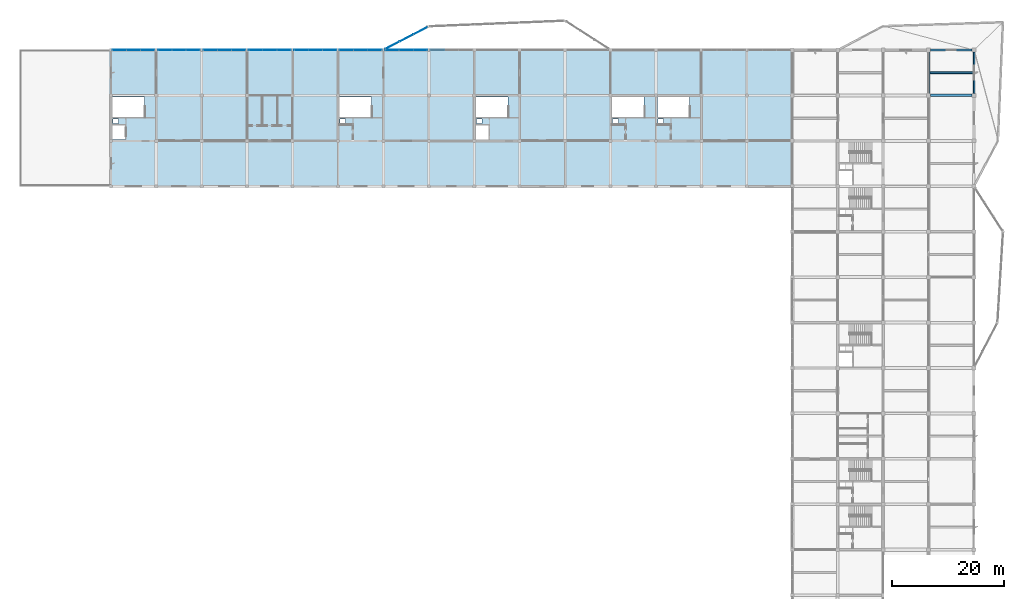
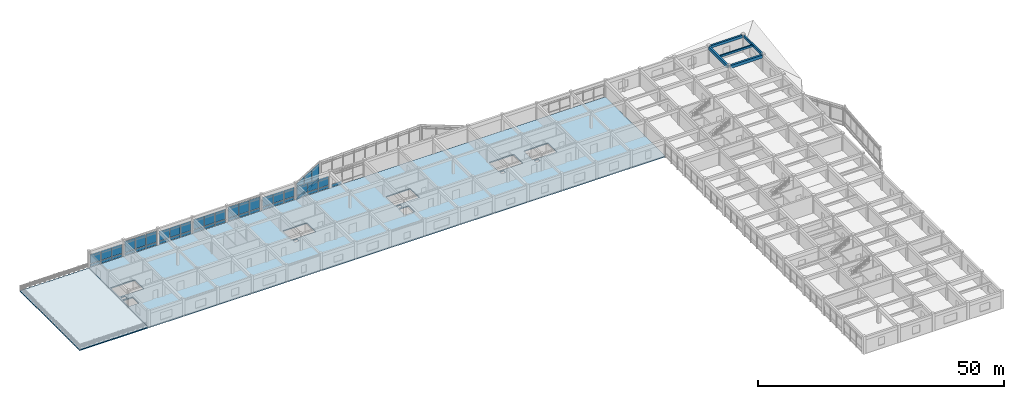
# One storey, part 21 of 40: 49 plates, 5 beams, 2 slabs, 9 elements without a shape of their own.
"""IFC4 building model written with IfcOpenShell, lengths in metres."""

from ifc_helpers import new_model, si_unit, direction, frame, origin, origin_2d, place, context, subcontext, project, spatial, polyline, rectangle, outline, extrude, material, layer, layer_set, material_profile, profile_set, type_object, element, aggregate, save


model = new_model("IFC4")

# Units and contexts
model_context = context("Model", 3, precision=1e-05, world=origin(), true_north=direction((0.0, 1.0)))
body_context = subcontext(model_context, "Body", "Model", "MODEL_VIEW")
ifc_project = project(units=[si_unit("LENGTHUNIT", "METRE"), si_unit("AREAUNIT", "SQUARE_METRE"), si_unit("VOLUMEUNIT", "CUBIC_METRE"), si_unit("PLANEANGLEUNIT", "RADIAN"), si_unit("MASSUNIT", "GRAM", prefix="KILO")], contexts=[model_context])

# Site, building, storey
site_placement = place(None, origin())
site = spatial("IfcSite", under=ifc_project, at=site_placement, CompositionType="ELEMENT")
building_placement = place(site_placement, origin())
building = spatial("IfcBuilding", under=site, at=building_placement, Name="Vaudrelin Polytechnic", CompositionType="ELEMENT")
storey_placement = place(building_placement, frame((0.0, 0.0, 22.949951171875)))
storey = spatial("IfcBuildingStorey", under=building, at=storey_placement, Name="L05", CompositionType="ELEMENT", Elevation=22.949951171875)

# Beams
ifc_material_1 = material(Name="Concrete 40 MPa", Category="concrete")
ifc_material_profile_1 = material_profile(ifc_material_1, rectangle(XDim=0.35009765625, YDim=0.60009765625, at=origin_2d()), Name="RC350x600")
ifc_profile_set_1 = profile_set([ifc_material_profile_1], Name="Concrete 40 MPa")
beam_type_1 = type_object("IfcBeamType", Name="BM-BM-RC3560", PredefinedType="BEAM", material=ifc_profile_set_1)
beam_1_placement = place(storey_placement, frame((170.10009765625, 113.7099609375, 3.860107421875), z_axis=(0.0, 1.0, 0.0), x_axis=(-1.0, 0.0, 0.0)))
element("IfcBeam", 1, at=beam_1_placement, inside=storey, type_object=beam_type_1, Name="L05 Y-beam 22-15", PredefinedType="BEAM", context=body_context, shape_type="SweptSolid", body=[
    extrude(rectangle(XDim=0.35009765625, YDim=0.60009765625, at=origin_2d()), origin(), (0.0, 0.0, 1.0), 7.47998046875),
])
ifc_material_profile_2 = material_profile(ifc_material_1, rectangle(XDim=0.39990234375, YDim=0.64990234375, at=origin_2d()), Name="RC400x650")
ifc_profile_set_2 = profile_set([ifc_material_profile_2], Name="Concrete 40 MPa")
beam_type_2 = type_object("IfcBeamType", Name="BM-BM-RC4065", PredefinedType="BEAM", material=ifc_profile_set_2)
beam_2_placement = place(storey_placement, frame((162.321044921875, 121.5, 3.8349609375), z_axis=(1.0, 0.0, 0.0), x_axis=(0.0, 1.0, 0.0)))
element("IfcBeam", 2, at=beam_2_placement, inside=storey, type_object=beam_type_2, Name="L05 X-beam 21-16", PredefinedType="BEAM", context=body_context, shape_type="SweptSolid", body=[
    extrude(rectangle(XDim=0.39990234375, YDim=0.64990234375, at=origin_2d()), origin(), (0.0, 0.0, 1.0), 7.4580078125),
])
ifc_material_profile_3 = material_profile(ifc_material_1, rectangle(XDim=0.449951171875, YDim=0.75, at=origin_2d()), Name="RC450x750")
ifc_profile_set_3 = profile_set([ifc_material_profile_3], Name="Concrete 40 MPa")
beam_type_3 = type_object("IfcBeamType", Name="BM-BM-RC4575", PredefinedType="BEAM", material=ifc_profile_set_3)
beam_3_placement = place(storey_placement, frame((162.0, 113.7099609375, 3.78515625), z_axis=(0.0, 1.0, 0.0), x_axis=(-1.0, 0.0, 0.0)))
element("IfcBeam", 3, at=beam_3_placement, inside=storey, type_object=beam_type_3, Name="L05 Y-beam 21-15", PredefinedType="BEAM", context=body_context, shape_type="SweptSolid", body=[
    extrude(rectangle(XDim=0.449951171875, YDim=0.75, at=origin_2d()), origin(), (0.0, 0.0, 1.0), 7.47998046875),
])
beam_4_placement = place(storey_placement, frame((162.321044921875, 113.39990234375, 3.78515625), z_axis=(1.0, 0.0, 0.0), x_axis=(0.0, 1.0, 0.0)))
element("IfcBeam", 4, at=beam_4_placement, inside=storey, type_object=beam_type_3, Name="L05 X-beam 21-15", PredefinedType="BEAM", context=body_context, shape_type="SweptSolid", body=[
    extrude(rectangle(XDim=0.449951171875, YDim=0.75, at=origin_2d()), origin(), (0.0, 0.0, 1.0), 7.4580078125),
])
ifc_material_profile_4 = material_profile(ifc_material_1, rectangle(XDim=0.300048828125, YDim=0.5, at=origin_2d()), Name="RC300x500")
ifc_profile_set_4 = profile_set([ifc_material_profile_4], Name="Concrete 40 MPa")
beam_type_4 = type_object("IfcBeamType", Name="BM-JS-RC3050", PredefinedType="JOIST", material=ifc_profile_set_4)
beam_5_placement = place(storey_placement, frame((162.220947265625, 117.449951171875, 3.91015625), z_axis=(1.0, 0.0, 0.0), x_axis=(0.0, 1.0, 0.0)))
element("IfcBeam", 5, at=beam_5_placement, inside=storey, type_object=beam_type_4, Name="L05 floor joist 21-15", PredefinedType="JOIST", context=body_context, shape_type="SweptSolid", body=[
    extrude(rectangle(XDim=0.300048828125, YDim=0.5, at=origin_2d()), origin(), (0.0, 0.0, 1.0), 7.7080078125),
])

# Curtain wall, plates
ifc_material_2 = material(Name="Thermally broken anodised aluminium AA 6063-T6 and low-e triple glazing", Category="aluminium")
ifc_layer_1 = layer(ifc_material_2, 0.199951171875)
ifc_layer_set_1 = layer_set([ifc_layer_1], Name="Thermally broken anodised aluminium AA 6063-T6 and low-e triple glazing")
curtain_wall_type = type_object("IfcCurtainWallType", Name="CW-CW-STU", PredefinedType="USERDEFINED", material=ifc_layer_set_1)
curtain_wall_1_placement = place(storey_placement, origin())
curtain_wall_1 = element("IfcCurtainWall", 6, at=curtain_wall_1_placement, inside=storey, type_object=curtain_wall_type, Name="Curtain wall L05 N_V5_00", ObjectType="CURTAIN WALL", PredefinedType="USERDEFINED")
ifc_material_3 = material(Name="Diffusing north-light studio glazing panel", Category="glass")
ifc_layer_2 = layer(ifc_material_3, 0.048095703125)
ifc_layer_set_2 = layer_set([ifc_layer_2], Name="Diffusing north-light studio glazing panel")
plate_type_1 = type_object("IfcPlateType", Name="PLT-GLZ-SAW", PredefinedType="CURTAIN_PANEL", material=ifc_layer_set_2)
plate_1_placement = place(storey_placement, frame((17.73193359375, 121.5, 0.900146484375), z_axis=(0.0, 0.0, 1.0), x_axis=(1.0, 0.0, 0.0)))
plate_1 = element("IfcPlate", 7, at=plate_1_placement, type_object=plate_type_1, Name="N_V5_00 vision panel 1", PredefinedType="CURTAIN_PANEL", context=body_context, shape_type="SweptSolid", body=[
    extrude(rectangle(XDim=2.41796875, YDim=0.0439453125, at=origin_2d()), origin(), (0.0, 0.0, 1.0), 2.31201171875),
])
plate_2_placement = place(storey_placement, frame((20.25, 121.5, 0.900146484375), z_axis=(0.0, 0.0, 1.0), x_axis=(1.0, 0.0, 0.0)))
plate_2 = element("IfcPlate", 8, at=plate_2_placement, type_object=plate_type_1, Name="N_V5_00 vision panel 2", PredefinedType="CURTAIN_PANEL", context=body_context, shape_type="SweptSolid", body=[
    extrude(rectangle(XDim=2.41796875, YDim=0.0439453125, at=origin_2d()), origin(), (0.0, 0.0, 1.0), 2.31201171875),
])
plate_3_placement = place(storey_placement, frame((22.76806640625, 121.5, 0.900146484375), z_axis=(0.0, 0.0, 1.0), x_axis=(1.0, 0.0, 0.0)))
plate_3 = element("IfcPlate", 9, at=plate_3_placement, type_object=plate_type_1, Name="N_V5_00 vision panel 3", PredefinedType="CURTAIN_PANEL", context=body_context, shape_type="SweptSolid", body=[
    extrude(rectangle(XDim=2.41796875, YDim=0.0439453125, at=origin_2d()), origin(), (0.0, 0.0, 1.0), 2.31201171875),
])

curtain_wall_2_placement = place(storey_placement, origin())
curtain_wall_2 = element("IfcCurtainWall", 10, at=curtain_wall_2_placement, inside=storey, type_object=curtain_wall_type, Name="Curtain wall L05 N_V5_01", ObjectType="CURTAIN WALL", PredefinedType="USERDEFINED")
plate_4_placement = place(storey_placement, frame((25.83203125, 121.5, 0.89990234375), z_axis=(0.0, 0.0, 1.0), x_axis=(1.0, 0.0, 0.0)))
plate_4 = element("IfcPlate", 11, at=plate_4_placement, type_object=plate_type_1, Name="N_V5_01 vision panel 1", PredefinedType="CURTAIN_PANEL", context=body_context, shape_type="SweptSolid", body=[
    extrude(rectangle(XDim=2.41796875, YDim=0.0439453125, at=origin_2d()), origin(), (0.0, 0.0, 1.0), 2.7470703125),
])
plate_5_placement = place(storey_placement, frame((28.35009765625, 121.5, 0.89990234375), z_axis=(0.0, 0.0, 1.0), x_axis=(1.0, 0.0, 0.0)))
plate_5 = element("IfcPlate", 12, at=plate_5_placement, type_object=plate_type_1, Name="N_V5_01 vision panel 2", PredefinedType="CURTAIN_PANEL", context=body_context, shape_type="SweptSolid", body=[
    extrude(rectangle(XDim=2.41796875, YDim=0.0439453125, at=origin_2d()), origin(), (0.0, 0.0, 1.0), 2.7470703125),
])
plate_6_placement = place(storey_placement, frame((30.867919921875, 121.5, 0.89990234375), z_axis=(0.0, 0.0, 1.0), x_axis=(1.0, 0.0, 0.0)))
plate_6 = element("IfcPlate", 13, at=plate_6_placement, type_object=plate_type_1, Name="N_V5_01 vision panel 3", PredefinedType="CURTAIN_PANEL", context=body_context, shape_type="SweptSolid", body=[
    extrude(rectangle(XDim=2.41796875, YDim=0.0439453125, at=origin_2d()), origin(), (0.0, 0.0, 1.0), 2.7470703125),
])

curtain_wall_3_placement = place(storey_placement, origin())
curtain_wall_3 = element("IfcCurtainWall", 14, at=curtain_wall_3_placement, inside=storey, type_object=curtain_wall_type, Name="Curtain wall L05 N_V5_02", ObjectType="CURTAIN WALL", PredefinedType="USERDEFINED")
plate_7_placement = place(storey_placement, frame((33.931884765625, 121.5, 0.89990234375), z_axis=(0.0, 0.0, 1.0), x_axis=(1.0, 0.0, 0.0)))
plate_7 = element("IfcPlate", 15, at=plate_7_placement, type_object=plate_type_1, Name="N_V5_02 vision panel 1", PredefinedType="CURTAIN_PANEL", context=body_context, shape_type="SweptSolid", body=[
    extrude(rectangle(XDim=2.41796875, YDim=0.0439453125, at=origin_2d()), origin(), (0.0, 0.0, 1.0), 2.412109375),
])
plate_8_placement = place(storey_placement, frame((36.449951171875, 121.5, 0.89990234375), z_axis=(0.0, 0.0, 1.0), x_axis=(1.0, 0.0, 0.0)))
plate_8 = element("IfcPlate", 16, at=plate_8_placement, type_object=plate_type_1, Name="N_V5_02 vision panel 2", PredefinedType="CURTAIN_PANEL", context=body_context, shape_type="SweptSolid", body=[
    extrude(rectangle(XDim=2.41796875, YDim=0.0439453125, at=origin_2d()), origin(), (0.0, 0.0, 1.0), 2.412109375),
])
plate_9_placement = place(storey_placement, frame((38.968017578125, 121.5, 0.89990234375), z_axis=(0.0, 0.0, 1.0), x_axis=(1.0, 0.0, 0.0)))
plate_9 = element("IfcPlate", 17, at=plate_9_placement, type_object=plate_type_1, Name="N_V5_02 vision panel 3", PredefinedType="CURTAIN_PANEL", context=body_context, shape_type="SweptSolid", body=[
    extrude(rectangle(XDim=2.41796875, YDim=0.0439453125, at=origin_2d()), origin(), (0.0, 0.0, 1.0), 2.412109375),
])

curtain_wall_4_placement = place(storey_placement, origin())
curtain_wall_4 = element("IfcCurtainWall", 18, at=curtain_wall_4_placement, inside=storey, type_object=curtain_wall_type, Name="Curtain wall L05 N_V5_03", ObjectType="CURTAIN WALL", PredefinedType="USERDEFINED")
plate_10_placement = place(storey_placement, frame((42.031982421875, 121.5, 0.89990234375), z_axis=(0.0, 0.0, 1.0), x_axis=(1.0, 0.0, 0.0)))
plate_10 = element("IfcPlate", 19, at=plate_10_placement, type_object=plate_type_1, Name="N_V5_03 vision panel 1", PredefinedType="CURTAIN_PANEL", context=body_context, shape_type="SweptSolid", body=[
    extrude(rectangle(XDim=2.41796875, YDim=0.0439453125, at=origin_2d()), origin(), (0.0, 0.0, 1.0), 2.511962890625),
])
plate_11_placement = place(storey_placement, frame((44.550048828125, 121.5, 0.89990234375), z_axis=(0.0, 0.0, 1.0), x_axis=(1.0, 0.0, 0.0)))
plate_11 = element("IfcPlate", 20, at=plate_11_placement, type_object=plate_type_1, Name="N_V5_03 vision panel 2", PredefinedType="CURTAIN_PANEL", context=body_context, shape_type="SweptSolid", body=[
    extrude(rectangle(XDim=2.41796875, YDim=0.0439453125, at=origin_2d()), origin(), (0.0, 0.0, 1.0), 2.511962890625),
])
plate_12_placement = place(storey_placement, frame((47.068115234375, 121.5, 0.89990234375), z_axis=(0.0, 0.0, 1.0), x_axis=(1.0, 0.0, 0.0)))
plate_12 = element("IfcPlate", 21, at=plate_12_placement, type_object=plate_type_1, Name="N_V5_03 vision panel 3", PredefinedType="CURTAIN_PANEL", context=body_context, shape_type="SweptSolid", body=[
    extrude(rectangle(XDim=2.41796875, YDim=0.0439453125, at=origin_2d()), origin(), (0.0, 0.0, 1.0), 2.511962890625),
])

curtain_wall_5_placement = place(storey_placement, origin())
curtain_wall_5 = element("IfcCurtainWall", 22, at=curtain_wall_5_placement, inside=storey, type_object=curtain_wall_type, Name="Curtain wall L05 N_V5_04", ObjectType="CURTAIN WALL", PredefinedType="USERDEFINED")
plate_13_placement = place(storey_placement, frame((50.132080078125, 121.5, 0.89990234375), z_axis=(0.0, 0.0, 1.0), x_axis=(1.0, 0.0, 0.0)))
plate_13 = element("IfcPlate", 23, at=plate_13_placement, type_object=plate_type_1, Name="N_V5_04 vision panel 1", PredefinedType="CURTAIN_PANEL", context=body_context, shape_type="SweptSolid", body=[
    extrude(rectangle(XDim=2.41796875, YDim=0.0439453125, at=origin_2d()), origin(), (0.0, 0.0, 1.0), 2.7470703125),
])
plate_14_placement = place(storey_placement, frame((52.64990234375, 121.5, 0.89990234375), z_axis=(0.0, 0.0, 1.0), x_axis=(1.0, 0.0, 0.0)))
plate_14 = element("IfcPlate", 24, at=plate_14_placement, type_object=plate_type_1, Name="N_V5_04 vision panel 2", PredefinedType="CURTAIN_PANEL", context=body_context, shape_type="SweptSolid", body=[
    extrude(rectangle(XDim=2.41796875, YDim=0.0439453125, at=origin_2d()), origin(), (0.0, 0.0, 1.0), 2.7470703125),
])
plate_15_placement = place(storey_placement, frame((55.16796875, 121.5, 0.89990234375), z_axis=(0.0, 0.0, 1.0), x_axis=(1.0, 0.0, 0.0)))
plate_15 = element("IfcPlate", 25, at=plate_15_placement, type_object=plate_type_1, Name="N_V5_04 vision panel 3", PredefinedType="CURTAIN_PANEL", context=body_context, shape_type="SweptSolid", body=[
    extrude(rectangle(XDim=2.41796875, YDim=0.0439453125, at=origin_2d()), origin(), (0.0, 0.0, 1.0), 2.7470703125),
])

curtain_wall_6_placement = place(storey_placement, origin())
curtain_wall_6 = element("IfcCurtainWall", 26, at=curtain_wall_6_placement, inside=storey, type_object=curtain_wall_type, Name="Curtain wall L05 N_V5_05", ObjectType="CURTAIN WALL", PredefinedType="USERDEFINED")
plate_16_placement = place(storey_placement, frame((58.23193359375, 121.5, 0.900146484375), z_axis=(0.0, 0.0, 1.0), x_axis=(1.0, 0.0, 0.0)))
plate_16 = element("IfcPlate", 27, at=plate_16_placement, type_object=plate_type_1, Name="N_V5_05 vision panel 1", PredefinedType="CURTAIN_PANEL", context=body_context, shape_type="SweptSolid", body=[
    extrude(rectangle(XDim=2.41796875, YDim=0.0439453125, at=origin_2d()), origin(), (0.0, 0.0, 1.0), 2.31201171875),
])
plate_17_placement = place(storey_placement, frame((60.75, 121.5, 0.900146484375), z_axis=(0.0, 0.0, 1.0), x_axis=(1.0, 0.0, 0.0)))
plate_17 = element("IfcPlate", 28, at=plate_17_placement, type_object=plate_type_1, Name="N_V5_05 vision panel 2", PredefinedType="CURTAIN_PANEL", context=body_context, shape_type="SweptSolid", body=[
    extrude(rectangle(XDim=2.41796875, YDim=0.0439453125, at=origin_2d()), origin(), (0.0, 0.0, 1.0), 2.31201171875),
])
plate_18_placement = place(storey_placement, frame((63.26806640625, 121.5, 0.900146484375), z_axis=(0.0, 0.0, 1.0), x_axis=(1.0, 0.0, 0.0)))
plate_18 = element("IfcPlate", 29, at=plate_18_placement, type_object=plate_type_1, Name="N_V5_05 vision panel 3", PredefinedType="CURTAIN_PANEL", context=body_context, shape_type="SweptSolid", body=[
    extrude(rectangle(XDim=2.41796875, YDim=0.0439453125, at=origin_2d()), origin(), (0.0, 0.0, 1.0), 2.31201171875),
])

curtain_wall_7_placement = place(storey_placement, origin())
curtain_wall_7 = element("IfcCurtainWall", 30, at=curtain_wall_7_placement, inside=storey, type_object=curtain_wall_type, Name="Curtain wall L05 N_V5_06", ObjectType="CURTAIN WALL", PredefinedType="USERDEFINED")
plate_19_placement = place(storey_placement, frame((66.33203125, 121.5, 0.900146484375), z_axis=(0.0, 0.0, 1.0), x_axis=(1.0, 0.0, 0.0)))
plate_19 = element("IfcPlate", 31, at=plate_19_placement, type_object=plate_type_1, Name="N_V5_06 vision panel 1", PredefinedType="CURTAIN_PANEL", context=body_context, shape_type="SweptSolid", body=[
    extrude(rectangle(XDim=2.41796875, YDim=0.0439453125, at=origin_2d()), origin(), (0.0, 0.0, 1.0), 2.2119140625),
])
plate_20_placement = place(storey_placement, frame((68.85009765625, 121.5, 0.900146484375), z_axis=(0.0, 0.0, 1.0), x_axis=(1.0, 0.0, 0.0)))
plate_20 = element("IfcPlate", 32, at=plate_20_placement, type_object=plate_type_1, Name="N_V5_06 vision panel 2", PredefinedType="CURTAIN_PANEL", context=body_context, shape_type="SweptSolid", body=[
    extrude(rectangle(XDim=2.41796875, YDim=0.0439453125, at=origin_2d()), origin(), (0.0, 0.0, 1.0), 2.2119140625),
])
plate_21_placement = place(storey_placement, frame((71.367919921875, 121.5, 0.900146484375), z_axis=(0.0, 0.0, 1.0), x_axis=(1.0, 0.0, 0.0)))
plate_21 = element("IfcPlate", 33, at=plate_21_placement, type_object=plate_type_1, Name="N_V5_06 vision panel 3", PredefinedType="CURTAIN_PANEL", context=body_context, shape_type="SweptSolid", body=[
    extrude(rectangle(XDim=2.41796875, YDim=0.0439453125, at=origin_2d()), origin(), (0.0, 0.0, 1.0), 2.2119140625),
])

# Plate
ifc_material_4 = material(Name="Insulated ceramic-frit spandrel glass panel", Category="glass")
ifc_layer_3 = layer(ifc_material_4, 0.052001953125)
ifc_layer_set_3 = layer_set([ifc_layer_3], Name="Insulated ceramic-frit spandrel glass panel")
plate_type_2 = type_object("IfcPlateType", Name="PLT-GLZ-SPAND", PredefinedType="CURTAIN_PANEL", material=ifc_layer_set_3)
plate_22_placement = place(storey_placement, frame((17.73193359375, 121.5, 0.08984375), z_axis=(0.0, 0.0, 1.0), x_axis=(1.0, 0.0, 0.0)))
plate_22 = element("IfcPlate", 34, at=plate_22_placement, type_object=plate_type_2, Name="N_V5_00 spandrel panel 1", PredefinedType="CURTAIN_PANEL", context=body_context, shape_type="SweptSolid", body=[
    extrude(rectangle(XDim=2.41796875, YDim=0.052001953125, at=origin_2d()), origin(), (0.0, 0.0, 1.0), 0.699951171875),
])

plate_23_placement = place(storey_placement, frame((20.25, 121.5, 0.08984375), z_axis=(0.0, 0.0, 1.0), x_axis=(1.0, 0.0, 0.0)))
plate_23 = element("IfcPlate", 35, at=plate_23_placement, type_object=plate_type_2, Name="N_V5_00 spandrel panel 2", PredefinedType="CURTAIN_PANEL", context=body_context, shape_type="SweptSolid", body=[
    extrude(rectangle(XDim=2.41796875, YDim=0.052001953125, at=origin_2d()), origin(), (0.0, 0.0, 1.0), 0.699951171875),
])

plate_24_placement = place(storey_placement, frame((22.76806640625, 121.5, 0.08984375), z_axis=(0.0, 0.0, 1.0), x_axis=(1.0, 0.0, 0.0)))
plate_24 = element("IfcPlate", 36, at=plate_24_placement, type_object=plate_type_2, Name="N_V5_00 spandrel panel 3", PredefinedType="CURTAIN_PANEL", context=body_context, shape_type="SweptSolid", body=[
    extrude(rectangle(XDim=2.41796875, YDim=0.052001953125, at=origin_2d()), origin(), (0.0, 0.0, 1.0), 0.699951171875),
])

aggregate(curtain_wall_1, [plate_22, plate_1, plate_23, plate_2, plate_24, plate_3])

plate_25_placement = place(storey_placement, frame((25.83203125, 121.5, 0.08984375), z_axis=(0.0, 0.0, 1.0), x_axis=(1.0, 0.0, 0.0)))
plate_25 = element("IfcPlate", 37, at=plate_25_placement, type_object=plate_type_2, Name="N_V5_01 spandrel panel 1", PredefinedType="CURTAIN_PANEL", context=body_context, shape_type="SweptSolid", body=[
    extrude(rectangle(XDim=2.41796875, YDim=0.052001953125, at=origin_2d()), origin(), (0.0, 0.0, 1.0), 0.699951171875),
])

plate_26_placement = place(storey_placement, frame((28.35009765625, 121.5, 0.08984375), z_axis=(0.0, 0.0, 1.0), x_axis=(1.0, 0.0, 0.0)))
plate_26 = element("IfcPlate", 38, at=plate_26_placement, type_object=plate_type_2, Name="N_V5_01 spandrel panel 2", PredefinedType="CURTAIN_PANEL", context=body_context, shape_type="SweptSolid", body=[
    extrude(rectangle(XDim=2.41796875, YDim=0.052001953125, at=origin_2d()), origin(), (0.0, 0.0, 1.0), 0.699951171875),
])

plate_27_placement = place(storey_placement, frame((30.867919921875, 121.5, 0.08984375), z_axis=(0.0, 0.0, 1.0), x_axis=(1.0, 0.0, 0.0)))
plate_27 = element("IfcPlate", 39, at=plate_27_placement, type_object=plate_type_2, Name="N_V5_01 spandrel panel 3", PredefinedType="CURTAIN_PANEL", context=body_context, shape_type="SweptSolid", body=[
    extrude(rectangle(XDim=2.41796875, YDim=0.052001953125, at=origin_2d()), origin(), (0.0, 0.0, 1.0), 0.699951171875),
])

aggregate(curtain_wall_2, [plate_25, plate_4, plate_26, plate_5, plate_27, plate_6])

plate_28_placement = place(storey_placement, frame((33.931884765625, 121.5, 0.08984375), z_axis=(0.0, 0.0, 1.0), x_axis=(1.0, 0.0, 0.0)))
plate_28 = element("IfcPlate", 40, at=plate_28_placement, type_object=plate_type_2, Name="N_V5_02 spandrel panel 1", PredefinedType="CURTAIN_PANEL", context=body_context, shape_type="SweptSolid", body=[
    extrude(rectangle(XDim=2.41796875, YDim=0.052001953125, at=origin_2d()), origin(), (0.0, 0.0, 1.0), 0.699951171875),
])

plate_29_placement = place(storey_placement, frame((36.449951171875, 121.5, 0.08984375), z_axis=(0.0, 0.0, 1.0), x_axis=(1.0, 0.0, 0.0)))
plate_29 = element("IfcPlate", 41, at=plate_29_placement, type_object=plate_type_2, Name="N_V5_02 spandrel panel 2", PredefinedType="CURTAIN_PANEL", context=body_context, shape_type="SweptSolid", body=[
    extrude(rectangle(XDim=2.41796875, YDim=0.052001953125, at=origin_2d()), origin(), (0.0, 0.0, 1.0), 0.699951171875),
])

plate_30_placement = place(storey_placement, frame((38.968017578125, 121.5, 0.08984375), z_axis=(0.0, 0.0, 1.0), x_axis=(1.0, 0.0, 0.0)))
plate_30 = element("IfcPlate", 42, at=plate_30_placement, type_object=plate_type_2, Name="N_V5_02 spandrel panel 3", PredefinedType="CURTAIN_PANEL", context=body_context, shape_type="SweptSolid", body=[
    extrude(rectangle(XDim=2.41796875, YDim=0.052001953125, at=origin_2d()), origin(), (0.0, 0.0, 1.0), 0.699951171875),
])

aggregate(curtain_wall_3, [plate_28, plate_7, plate_29, plate_8, plate_30, plate_9])

plate_31_placement = place(storey_placement, frame((42.031982421875, 121.5, 0.08984375), z_axis=(0.0, 0.0, 1.0), x_axis=(1.0, 0.0, 0.0)))
plate_31 = element("IfcPlate", 43, at=plate_31_placement, type_object=plate_type_2, Name="N_V5_03 spandrel panel 1", PredefinedType="CURTAIN_PANEL", context=body_context, shape_type="SweptSolid", body=[
    extrude(rectangle(XDim=2.41796875, YDim=0.052001953125, at=origin_2d()), origin(), (0.0, 0.0, 1.0), 0.699951171875),
])

plate_32_placement = place(storey_placement, frame((44.550048828125, 121.5, 0.08984375), z_axis=(0.0, 0.0, 1.0), x_axis=(1.0, 0.0, 0.0)))
plate_32 = element("IfcPlate", 44, at=plate_32_placement, type_object=plate_type_2, Name="N_V5_03 spandrel panel 2", PredefinedType="CURTAIN_PANEL", context=body_context, shape_type="SweptSolid", body=[
    extrude(rectangle(XDim=2.41796875, YDim=0.052001953125, at=origin_2d()), origin(), (0.0, 0.0, 1.0), 0.699951171875),
])

plate_33_placement = place(storey_placement, frame((47.068115234375, 121.5, 0.08984375), z_axis=(0.0, 0.0, 1.0), x_axis=(1.0, 0.0, 0.0)))
plate_33 = element("IfcPlate", 45, at=plate_33_placement, type_object=plate_type_2, Name="N_V5_03 spandrel panel 3", PredefinedType="CURTAIN_PANEL", context=body_context, shape_type="SweptSolid", body=[
    extrude(rectangle(XDim=2.41796875, YDim=0.052001953125, at=origin_2d()), origin(), (0.0, 0.0, 1.0), 0.699951171875),
])

aggregate(curtain_wall_4, [plate_31, plate_10, plate_32, plate_11, plate_33, plate_12])

plate_34_placement = place(storey_placement, frame((50.132080078125, 121.5, 0.08984375), z_axis=(0.0, 0.0, 1.0), x_axis=(1.0, 0.0, 0.0)))
plate_34 = element("IfcPlate", 46, at=plate_34_placement, type_object=plate_type_2, Name="N_V5_04 spandrel panel 1", PredefinedType="CURTAIN_PANEL", context=body_context, shape_type="SweptSolid", body=[
    extrude(rectangle(XDim=2.41796875, YDim=0.052001953125, at=origin_2d()), origin(), (0.0, 0.0, 1.0), 0.699951171875),
])

plate_35_placement = place(storey_placement, frame((52.64990234375, 121.5, 0.08984375), z_axis=(0.0, 0.0, 1.0), x_axis=(1.0, 0.0, 0.0)))
plate_35 = element("IfcPlate", 47, at=plate_35_placement, type_object=plate_type_2, Name="N_V5_04 spandrel panel 2", PredefinedType="CURTAIN_PANEL", context=body_context, shape_type="SweptSolid", body=[
    extrude(rectangle(XDim=2.41796875, YDim=0.052001953125, at=origin_2d()), origin(), (0.0, 0.0, 1.0), 0.699951171875),
])

plate_36_placement = place(storey_placement, frame((55.16796875, 121.5, 0.08984375), z_axis=(0.0, 0.0, 1.0), x_axis=(1.0, 0.0, 0.0)))
plate_36 = element("IfcPlate", 48, at=plate_36_placement, type_object=plate_type_2, Name="N_V5_04 spandrel panel 3", PredefinedType="CURTAIN_PANEL", context=body_context, shape_type="SweptSolid", body=[
    extrude(rectangle(XDim=2.41796875, YDim=0.052001953125, at=origin_2d()), origin(), (0.0, 0.0, 1.0), 0.699951171875),
])

aggregate(curtain_wall_5, [plate_34, plate_13, plate_35, plate_14, plate_36, plate_15])

plate_37_placement = place(storey_placement, frame((58.23193359375, 121.5, 0.08984375), z_axis=(0.0, 0.0, 1.0), x_axis=(1.0, 0.0, 0.0)))
plate_37 = element("IfcPlate", 49, at=plate_37_placement, type_object=plate_type_2, Name="N_V5_05 spandrel panel 1", PredefinedType="CURTAIN_PANEL", context=body_context, shape_type="SweptSolid", body=[
    extrude(rectangle(XDim=2.41796875, YDim=0.052001953125, at=origin_2d()), origin(), (0.0, 0.0, 1.0), 0.699951171875),
])

plate_38_placement = place(storey_placement, frame((60.75, 121.5, 0.08984375), z_axis=(0.0, 0.0, 1.0), x_axis=(1.0, 0.0, 0.0)))
plate_38 = element("IfcPlate", 50, at=plate_38_placement, type_object=plate_type_2, Name="N_V5_05 spandrel panel 2", PredefinedType="CURTAIN_PANEL", context=body_context, shape_type="SweptSolid", body=[
    extrude(rectangle(XDim=2.41796875, YDim=0.052001953125, at=origin_2d()), origin(), (0.0, 0.0, 1.0), 0.699951171875),
])

plate_39_placement = place(storey_placement, frame((63.26806640625, 121.5, 0.08984375), z_axis=(0.0, 0.0, 1.0), x_axis=(1.0, 0.0, 0.0)))
plate_39 = element("IfcPlate", 51, at=plate_39_placement, type_object=plate_type_2, Name="N_V5_05 spandrel panel 3", PredefinedType="CURTAIN_PANEL", context=body_context, shape_type="SweptSolid", body=[
    extrude(rectangle(XDim=2.41796875, YDim=0.052001953125, at=origin_2d()), origin(), (0.0, 0.0, 1.0), 0.699951171875),
])

aggregate(curtain_wall_6, [plate_37, plate_16, plate_38, plate_17, plate_39, plate_18])

plate_40_placement = place(storey_placement, frame((66.33203125, 121.5, 0.08984375), z_axis=(0.0, 0.0, 1.0), x_axis=(1.0, 0.0, 0.0)))
plate_40 = element("IfcPlate", 52, at=plate_40_placement, type_object=plate_type_2, Name="N_V5_06 spandrel panel 1", PredefinedType="CURTAIN_PANEL", context=body_context, shape_type="SweptSolid", body=[
    extrude(rectangle(XDim=2.41796875, YDim=0.052001953125, at=origin_2d()), origin(), (0.0, 0.0, 1.0), 0.699951171875),
])

plate_41_placement = place(storey_placement, frame((68.85009765625, 121.5, 0.08984375), z_axis=(0.0, 0.0, 1.0), x_axis=(1.0, 0.0, 0.0)))
plate_41 = element("IfcPlate", 53, at=plate_41_placement, type_object=plate_type_2, Name="N_V5_06 spandrel panel 2", PredefinedType="CURTAIN_PANEL", context=body_context, shape_type="SweptSolid", body=[
    extrude(rectangle(XDim=2.41796875, YDim=0.052001953125, at=origin_2d()), origin(), (0.0, 0.0, 1.0), 0.699951171875),
])

plate_42_placement = place(storey_placement, frame((71.367919921875, 121.5, 0.08984375), z_axis=(0.0, 0.0, 1.0), x_axis=(1.0, 0.0, 0.0)))
plate_42 = element("IfcPlate", 54, at=plate_42_placement, type_object=plate_type_2, Name="N_V5_06 spandrel panel 3", PredefinedType="CURTAIN_PANEL", context=body_context, shape_type="SweptSolid", body=[
    extrude(rectangle(XDim=2.41796875, YDim=0.052001953125, at=origin_2d()), origin(), (0.0, 0.0, 1.0), 0.699951171875),
])

aggregate(curtain_wall_7, [plate_40, plate_19, plate_41, plate_20, plate_42, plate_21])

# Curtain wall, plate
curtain_wall_8_placement = place(storey_placement, origin())
curtain_wall_8 = element("IfcCurtainWall", 55, at=curtain_wall_8_placement, inside=storey, type_object=curtain_wall_type, Name="Curtain wall L05 N_V5_07", ObjectType="CURTAIN WALL", PredefinedType="USERDEFINED")
plate_43_placement = place(storey_placement, frame((74.431884765625, 121.5, 0.08984375), z_axis=(0.0, 0.0, 1.0), x_axis=(1.0, 0.0, 0.0)))
plate_43 = element("IfcPlate", 56, at=plate_43_placement, type_object=plate_type_2, Name="N_V5_07 spandrel panel 1", PredefinedType="CURTAIN_PANEL", context=body_context, shape_type="SweptSolid", body=[
    extrude(rectangle(XDim=2.41796875, YDim=0.052001953125, at=origin_2d()), origin(), (0.0, 0.0, 1.0), 0.699951171875),
])
aggregate(curtain_wall_8, [plate_43])

# Curtain wall, plates
curtain_wall_9_placement = place(storey_placement, origin())
curtain_wall_9 = element("IfcCurtainWall", 57, at=curtain_wall_9_placement, inside=storey, type_object=curtain_wall_type, Name="Curtain wall L05 N_OR2_1_0", ObjectType="CURTAIN WALL", PredefinedType="USERDEFINED")
plate_44_placement = place(storey_placement, frame((66.404052734375, 122.331787109375, -0.5400390625), z_axis=(0.0, 0.0, 1.0), x_axis=(0.887751494589, 0.460323021208, 0.0)))
plate_44 = element("IfcPlate", 58, at=plate_44_placement, type_object=plate_type_2, Name="N_OR2_1_0 spandrel panel 1", PredefinedType="CURTAIN_PANEL", context=body_context, shape_type="SweptSolid", body=[
    extrude(rectangle(XDim=2.72412109375, YDim=0.052001953125, at=origin_2d()), origin(), (0.0, 0.0, 1.0), 0.699951171875),
])
plate_45_placement = place(storey_placement, frame((68.9111328125, 123.6318359375, -0.5400390625), z_axis=(0.0, 0.0, 1.0), x_axis=(0.887751494589, 0.460323021208, 0.0)))
plate_45 = element("IfcPlate", 59, at=plate_45_placement, type_object=plate_type_2, Name="N_OR2_1_0 spandrel panel 2", PredefinedType="CURTAIN_PANEL", context=body_context, shape_type="SweptSolid", body=[
    extrude(rectangle(XDim=2.72412109375, YDim=0.052001953125, at=origin_2d()), origin(), (0.0, 0.0, 1.0), 0.699951171875),
])
plate_46_placement = place(storey_placement, frame((71.41845703125, 124.931884765625, -0.5400390625), z_axis=(0.0, 0.0, 1.0), x_axis=(0.887751494589, 0.460323021208, 0.0)))
plate_46 = element("IfcPlate", 60, at=plate_46_placement, type_object=plate_type_2, Name="N_OR2_1_0 spandrel panel 3", PredefinedType="CURTAIN_PANEL", context=body_context, shape_type="SweptSolid", body=[
    extrude(rectangle(XDim=2.72412109375, YDim=0.052001953125, at=origin_2d()), origin(), (0.0, 0.0, 1.0), 0.699951171875),
])
ifc_material_5 = material(Name="Triple low-e argon insulated glazing unit", Category="glass")
ifc_layer_4 = layer(ifc_material_5, 0.0439453125)
ifc_layer_set_4 = layer_set([ifc_layer_4], Name="Triple low-e argon insulated glazing unit")
plate_type_3 = type_object("IfcPlateType", Name="PLT-GLZ-TRIPLE", PredefinedType="CURTAIN_PANEL", material=ifc_layer_set_4)
plate_47_placement = place(storey_placement, frame((66.404052734375, 122.331787109375, 0.27001953125), z_axis=(0.0, 0.0, 1.0), x_axis=(0.887751494589, 0.460323021208, 0.0)))
plate_47 = element("IfcPlate", 61, at=plate_47_placement, type_object=plate_type_3, Name="N_OR2_1_0 vision panel 1", PredefinedType="CURTAIN_PANEL", context=body_context, shape_type="SweptSolid", body=[
    extrude(rectangle(XDim=2.72412109375, YDim=0.0439453125, at=origin_2d()), origin(), (0.0, 0.0, 1.0), 3.43994140625),
])
plate_48_placement = place(storey_placement, frame((68.9111328125, 123.6318359375, 0.27001953125), z_axis=(0.0, 0.0, 1.0), x_axis=(0.887751494589, 0.460323021208, 0.0)))
plate_48 = element("IfcPlate", 62, at=plate_48_placement, type_object=plate_type_3, Name="N_OR2_1_0 vision panel 2", PredefinedType="CURTAIN_PANEL", context=body_context, shape_type="SweptSolid", body=[
    extrude(rectangle(XDim=2.72412109375, YDim=0.0439453125, at=origin_2d()), origin(), (0.0, 0.0, 1.0), 3.43994140625),
])
plate_49_placement = place(storey_placement, frame((71.41845703125, 124.931884765625, 0.27001953125), z_axis=(0.0, 0.0, 1.0), x_axis=(0.887751494589, 0.460323021208, 0.0)))
plate_49 = element("IfcPlate", 63, at=plate_49_placement, type_object=plate_type_3, Name="N_OR2_1_0 vision panel 3", PredefinedType="CURTAIN_PANEL", context=body_context, shape_type="SweptSolid", body=[
    extrude(rectangle(XDim=2.72412109375, YDim=0.0439453125, at=origin_2d()), origin(), (0.0, 0.0, 1.0), 3.43994140625),
])
aggregate(curtain_wall_9, [plate_44, plate_47, plate_45, plate_48, plate_46, plate_49])

# Slabs
ifc_material_6 = material(Name="Concrete 35 MPa", Category="concrete")
ifc_layer_5 = layer(ifc_material_6, 0.260009765625)
ifc_layer_set_5 = layer_set([ifc_layer_5], Name="Concrete 35 MPa")
slab_type_1 = type_object("IfcSlabType", Name="SLB-SL-F260", PredefinedType="FLOOR", material=ifc_layer_set_5)
slab_1_placement = place(storey_placement, frame((0.0, 0.0, -0.260009765625)))
element("IfcSlab", 64, at=slab_1_placement, inside=storey, type_object=slab_type_1, Name="L05 floor slab V5-MAIN", PredefinedType="FLOOR", context=body_context, shape_type="SweptSolid", body=[
    extrude(outline(polyline([(16.199951171875, 97.199951171875), (137.699951171875, 97.199951171875), (137.699951171875, 121.5), (16.199951171875, 121.5), (16.199951171875, 97.199951171875)]), holes=[polyline([(16.449951171875, 109.510009765625), (22.199951171875, 109.510009765625), (22.199951171875, 113.14990234375), (16.449951171875, 113.14990234375), (16.449951171875, 109.510009765625)]), polyline([(16.449951171875, 105.550048828125), (18.780029296875, 105.550048828125), (18.780029296875, 108.030029296875), (16.449951171875, 108.030029296875), (16.449951171875, 105.550048828125)]), polyline([(16.580078125, 108.3798828125), (17.580078125, 108.3798828125), (17.580078125, 109.179931640625), (16.580078125, 109.179931640625), (16.580078125, 108.3798828125)]), polyline([(81.25, 109.510009765625), (87.0, 109.510009765625), (87.0, 113.14990234375), (81.25, 113.14990234375), (81.25, 109.510009765625)]), polyline([(81.25, 105.550048828125), (83.580078125, 105.550048828125), (83.580078125, 108.030029296875), (81.25, 108.030029296875), (81.25, 105.550048828125)]), polyline([(81.3798828125, 108.3798828125), (82.3798828125, 108.3798828125), (82.3798828125, 109.179931640625), (81.3798828125, 109.179931640625), (81.3798828125, 108.3798828125)]), polyline([(56.949951171875, 109.510009765625), (62.699951171875, 109.510009765625), (62.699951171875, 113.14990234375), (56.949951171875, 113.14990234375), (56.949951171875, 109.510009765625)]), polyline([(57.080078125, 108.3798828125), (58.080078125, 108.3798828125), (58.080078125, 109.179931640625), (57.080078125, 109.179931640625), (57.080078125, 108.3798828125)]), polyline([(113.64990234375, 109.510009765625), (119.39990234375, 109.510009765625), (119.39990234375, 113.14990234375), (113.64990234375, 113.14990234375), (113.64990234375, 109.510009765625)]), polyline([(113.780029296875, 108.3798828125), (114.780029296875, 108.3798828125), (114.780029296875, 109.179931640625), (113.780029296875, 109.179931640625), (113.780029296875, 108.3798828125)]), polyline([(105.550048828125, 109.510009765625), (111.300048828125, 109.510009765625), (111.300048828125, 113.14990234375), (105.550048828125, 113.14990234375), (105.550048828125, 109.510009765625)]), polyline([(105.679931640625, 108.3798828125), (106.679931640625, 108.3798828125), (106.679931640625, 109.179931640625), (105.679931640625, 109.179931640625), (105.679931640625, 108.3798828125)])]), origin(), (0.0, 0.0, 1.0), 0.260009765625),
])
ifc_layer_6 = layer(ifc_material_6, 0.25)
ifc_layer_set_6 = layer_set([ifc_layer_6], Name="Concrete 35 MPa")
slab_type_2 = type_object("IfcSlabType", Name="SLB-SL-TER250", PredefinedType="FLOOR", material=ifc_layer_set_6)
slab_2_placement = place(storey_placement, frame((0.0, 0.0, -0.25)))
element("IfcSlab", 65, at=slab_2_placement, inside=storey, type_object=slab_type_2, Name="L05 terrace slab V5-TER", PredefinedType="FLOOR", context=body_context, shape_type="SweptSolid", body=[
    extrude(outline(polyline([(0.0, 97.199951171875), (16.199951171875, 97.199951171875), (16.199951171875, 121.5), (0.0, 121.5), (0.0, 97.199951171875)])), origin(), (0.0, 0.0, 1.0), 0.25),
])

save(model, "model.ifc")
